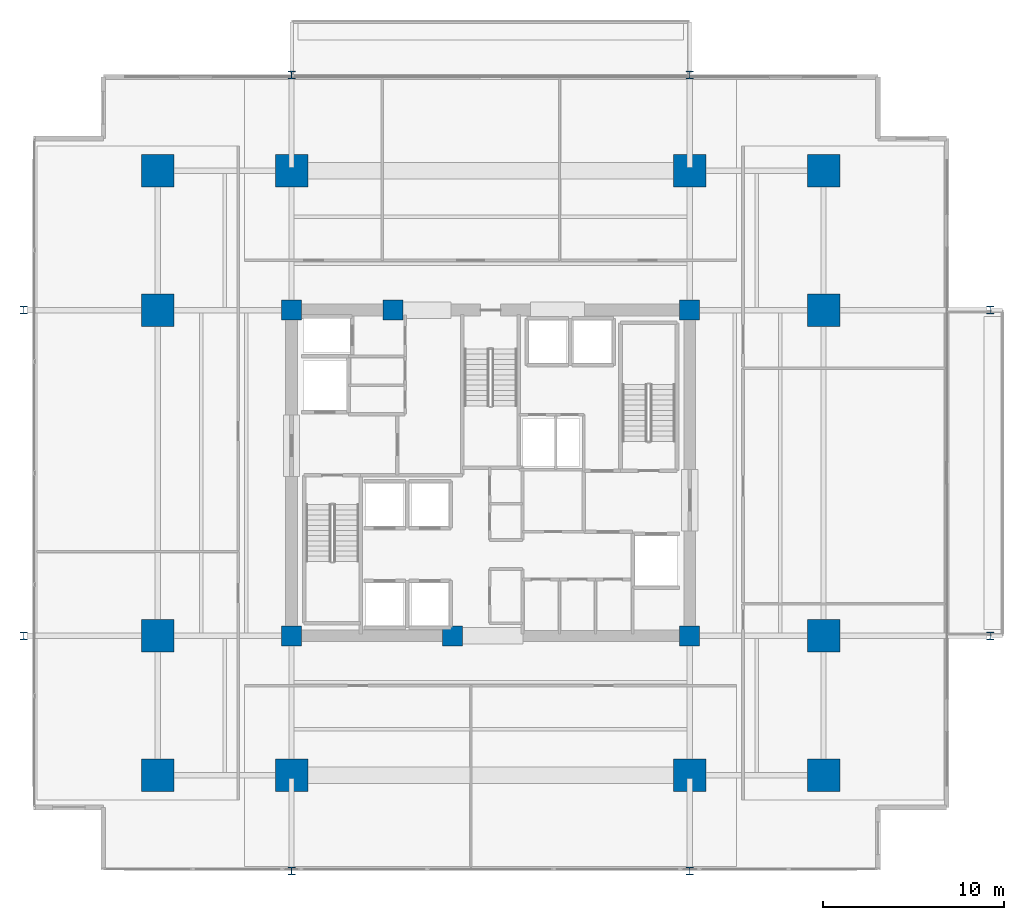
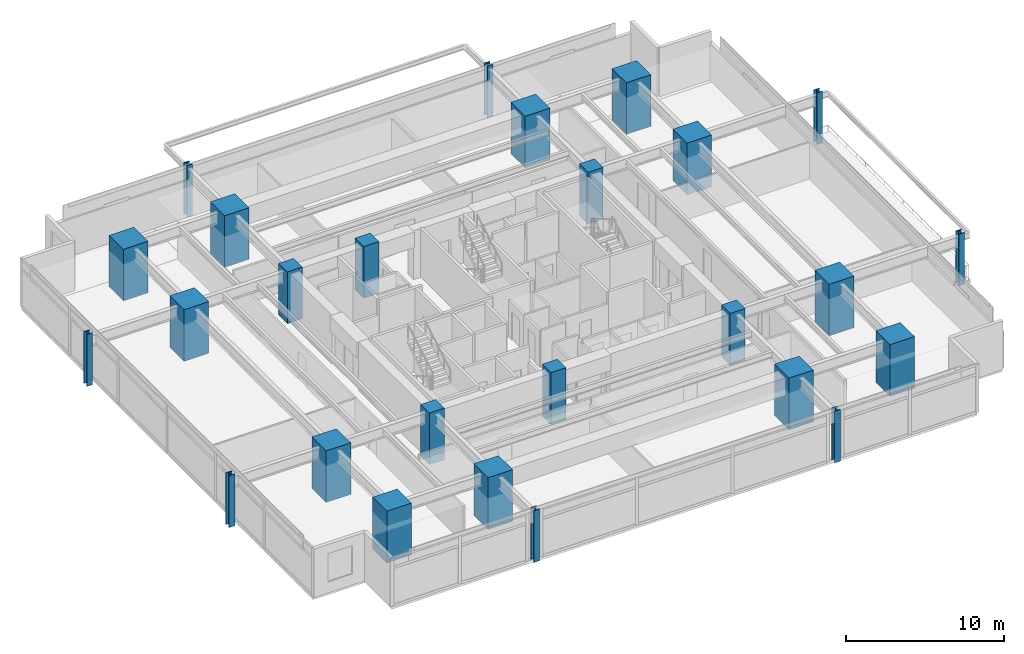
# One storey, part 1 of 20: 26 columns.
"""IFC4 building model written with IfcOpenShell, lengths in metres."""

from ifc_helpers import new_model, si_unit, direction, frame, origin, origin_2d, place, context, subcontext, project, spatial, rectangle, i_section, extrude, material, material_profile, profile_set, type_object, element, save


model = new_model("IFC4")

# Units and contexts
model_context = context("Model", 3, precision=1e-05, world=origin(), true_north=direction((0.0, 1.0)))
body_context = subcontext(model_context, "Body", "Model", "MODEL_VIEW")
ifc_project = project(units=[si_unit("LENGTHUNIT", "METRE"), si_unit("AREAUNIT", "SQUARE_METRE"), si_unit("VOLUMEUNIT", "CUBIC_METRE"), si_unit("PLANEANGLEUNIT", "RADIAN"), si_unit("MASSUNIT", "GRAM", prefix="KILO")], contexts=[model_context])

# Site, building, storey
site_placement = place(None, origin())
site = spatial("IfcSite", under=ifc_project, at=site_placement, CompositionType="ELEMENT")
building_placement = place(site_placement, origin())
building = spatial("IfcBuilding", under=site, at=building_placement, Name="Kovane Verandah Tower", CompositionType="ELEMENT")
storey_placement = place(building_placement, frame((0.0, 0.0, 39.60009765625)))
storey = spatial("IfcBuildingStorey", under=building, at=storey_placement, Name="L08", CompositionType="ELEMENT", Elevation=39.60009765625)

# Columns
ifc_material_1 = material(Name="Concrete C80/95", Category="concrete")
ifc_material_profile_1 = material_profile(ifc_material_1, rectangle(XDim=1.800048828125, YDim=1.800048828125, at=origin_2d()), Name="RC1800x1800")
ifc_profile_set_1 = profile_set([ifc_material_profile_1], Name="Concrete C80/95")
column_type_1 = type_object("IfcColumnType", Name="COL-RC1800", PredefinedType="COLUMN", material=ifc_profile_set_1)
for number, where, z_axis, x_axis, name in (
    (1, (29.0, 10.800048828125, 0.0), (0.0, 0.0, 1.0), (1.0, 0.0, 0.0), "L08 Tower Mega-Column MC-S1"),
    (2, (51.0, 10.800048828125, 0.0), (0.0, 0.0, 1.0), (1.0, 0.0, 0.0), "L08 Tower Mega-Column MC-S2"),
    (3, (29.0, 44.199951171875, 0.0), (0.0, 0.0, 1.0), (1.0, 0.0, 0.0), "L08 Tower Mega-Column MC-N1"),
    (4, (51.0, 44.199951171875, 0.0), (0.0, 0.0, 1.0), (1.0, 0.0, 0.0), "L08 Tower Mega-Column MC-N2"),
    (5, (21.60009765625, 18.5, 0.0), (0.0, 0.0, 1.0), (1.0, 0.0, 0.0), "L08 Tower Mega-Column MC-W1"),
    (6, (21.60009765625, 36.5, 0.0), (0.0, 0.0, 1.0), (1.0, 0.0, 0.0), "L08 Tower Mega-Column MC-W2"),
    (7, (58.39990234375, 18.5, 0.0), (0.0, 0.0, 1.0), (1.0, 0.0, 0.0), "L08 Tower Mega-Column MC-E1"),
    (8, (58.39990234375, 36.5, 0.0), (0.0, 0.0, 1.0), (1.0, 0.0, 0.0), "L08 Tower Mega-Column MC-E2"),
    (9, (21.60009765625, 10.800048828125, 0.0), (0.0, 0.0, 1.0), (1.0, 0.0, 0.0), "L08 Tower Mega-Column MC-SW"),
    (10, (58.39990234375, 10.800048828125, 0.0), (0.0, 0.0, 1.0), (1.0, 0.0, 0.0), "L08 Tower Mega-Column MC-SE"),
    (11, (21.60009765625, 44.199951171875, 0.0), (0.0, 0.0, 1.0), (1.0, 0.0, 0.0), "L08 Tower Mega-Column MC-NW"),
    (12, (58.39990234375, 44.199951171875, 0.0), (0.0, 0.0, 1.0), (1.0, 0.0, 0.0), "L08 Tower Mega-Column MC-NE"),
):
    element("IfcColumn", number, at=place(storey_placement, frame(where, z_axis=z_axis, x_axis=x_axis)), inside=storey, type_object=column_type_1, Name=name, PredefinedType="COLUMN", context=body_context, shape_type="SweptSolid", body=[
        extrude(rectangle(XDim=1.800048828125, YDim=1.800048828125, at=origin_2d()), origin(), (0.0, 0.0, 1.0), 4.0),
    ])
ifc_material_2 = material(Name="Steel S460", Category="steel")
ifc_material_profile_2 = material_profile(ifc_material_2, i_section(OverallWidth=0.412109375, OverallDepth=0.4365234375, WebThickness=0.035888671875, FlangeThickness=0.05810546875, FilletRadius=0.01513671875, at=origin_2d()), Name="UC356x406x467")
ifc_profile_set_2 = profile_set([ifc_material_profile_2], Name="Steel S460")
column_type_2 = type_object("IfcColumnType", Name="COL-UC467", PredefinedType="COLUMN", material=ifc_profile_set_2)
for number, where, z_axis, x_axis, name in (
    (13, (14.199951171875, 18.5, 0.0), (0.0, 0.0, 1.0), (1.0, 0.0, 0.0), "L08 Verandah Perimeter Column VC-W1"),
    (14, (14.199951171875, 36.5, 0.0), (0.0, 0.0, 1.0), (1.0, 0.0, 0.0), "L08 Verandah Perimeter Column VC-W2"),
    (15, (67.60009765625, 18.5, 0.0), (0.0, 0.0, 1.0), (1.0, 0.0, 0.0), "L08 Verandah Perimeter Column VC-E1"),
    (16, (67.60009765625, 36.5, 0.0), (0.0, 0.0, 1.0), (1.0, 0.0, 0.0), "L08 Verandah Perimeter Column VC-E2"),
    (17, (29.0, 5.5, 0.0), (0.0, 0.0, 1.0), (1.0, 0.0, 0.0), "L08 Verandah Perimeter Column VC-S1"),
    (18, (51.0, 5.5, 0.0), (0.0, 0.0, 1.0), (1.0, 0.0, 0.0), "L08 Verandah Perimeter Column VC-S2"),
    (19, (29.0, 49.5, 0.0), (0.0, 0.0, 1.0), (1.0, 0.0, 0.0), "L08 Verandah Perimeter Column VC-N1"),
    (20, (51.0, 49.5, 0.0), (0.0, 0.0, 1.0), (1.0, 0.0, 0.0), "L08 Verandah Perimeter Column VC-N2"),
):
    element("IfcColumn", number, at=place(storey_placement, frame(where, z_axis=z_axis, x_axis=x_axis)), inside=storey, type_object=column_type_2, Name=name, PredefinedType="COLUMN", context=body_context, shape_type="SweptSolid", body=[
        extrude(i_section(OverallWidth=0.412109375, OverallDepth=0.4365234375, WebThickness=0.035888671875, FlangeThickness=0.05810546875, FilletRadius=0.01513671875, at=origin_2d()), origin(), (0.0, 0.0, 1.0), 4.0),
    ])
ifc_material_profile_3 = material_profile(ifc_material_1, rectangle(XDim=1.10009765625, YDim=1.10009765625, at=origin_2d()), Name="RC1100x1100")
ifc_profile_set_3 = profile_set([ifc_material_profile_3], Name="Concrete C80/95")
column_type_3 = type_object("IfcColumnType", Name="PIL-RC1100", PredefinedType="PILASTER", material=ifc_profile_set_3)
for number, where, z_axis, x_axis, name in (
    (21, (29.0, 18.5, 0.0), (0.0, 0.0, 1.0), (1.0, 0.0, 0.0), "L08 Core Pilaster CP-SW"),
    (22, (51.0, 18.5, 0.0), (0.0, 0.0, 1.0), (1.0, 0.0, 0.0), "L08 Core Pilaster CP-SE"),
    (23, (29.0, 36.5, 0.0), (0.0, 0.0, 1.0), (1.0, 0.0, 0.0), "L08 Core Pilaster CP-NW"),
    (24, (51.0, 36.5, 0.0), (0.0, 0.0, 1.0), (1.0, 0.0, 0.0), "L08 Core Pilaster CP-NE"),
    (25, (37.89990234375, 18.5, 0.0), (0.0, 0.0, 1.0), (1.0, 0.0, 0.0), "L08 Core Pilaster CP-S"),
    (26, (34.60009765625, 36.5, 0.0), (0.0, 0.0, 1.0), (1.0, 0.0, 0.0), "L08 Core Pilaster CP-N"),
):
    element("IfcColumn", number, at=place(storey_placement, frame(where, z_axis=z_axis, x_axis=x_axis)), inside=storey, type_object=column_type_3, Name=name, PredefinedType="PILASTER", context=body_context, shape_type="SweptSolid", body=[
        extrude(rectangle(XDim=1.10009765625, YDim=1.10009765625, at=origin_2d()), origin(), (0.0, 0.0, 1.0), 4.0),
    ])

save(model, "model.ifc")
